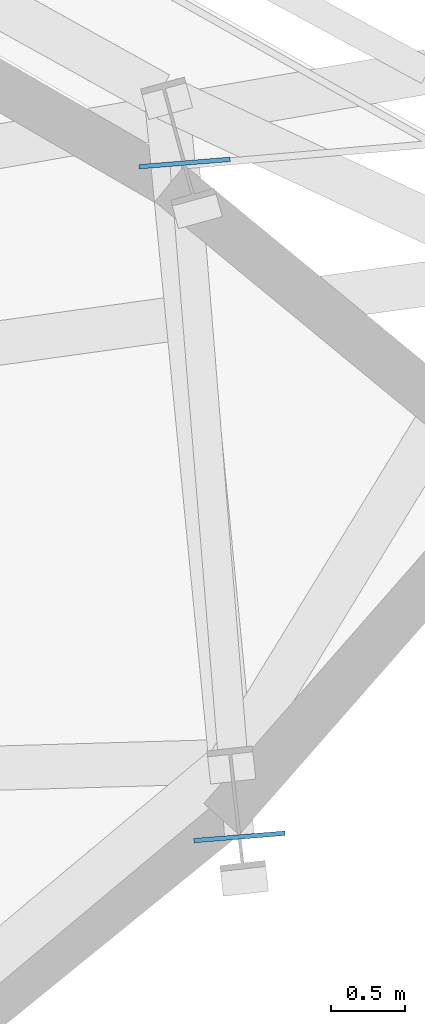
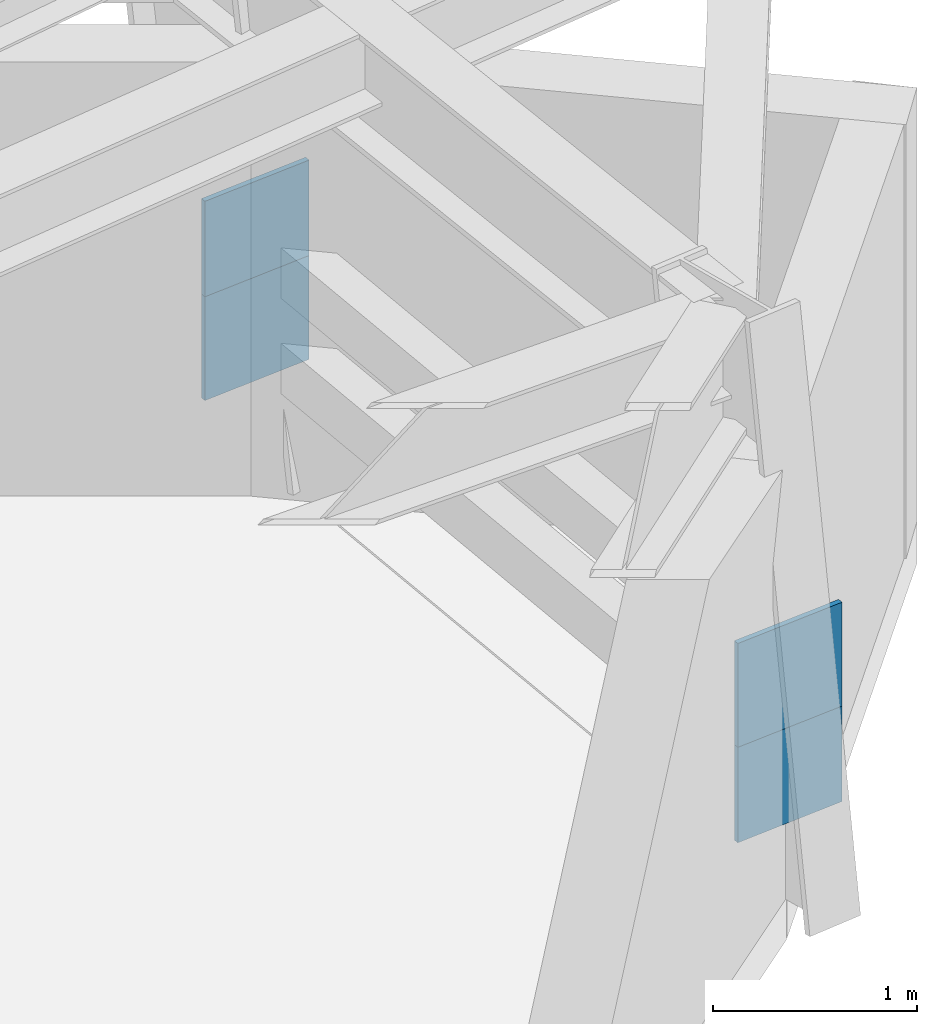
# One storey, part 13 of 21: 4 plates.
"""IFC4 building model written with IfcOpenShell, lengths in metres."""

from ifc_helpers import new_model, si_unit, direction, frame, origin, origin_2d, place, context, subcontext, project, spatial, rectangle, extrude, source, transform, mapped, material, type_object, element, save


model = new_model("IFC4")

# Units and contexts
model_context = context("Model", 3, precision=1e-05, world=origin(), true_north=direction((0.0, 1.0)))
body_context = subcontext(model_context, "Body", "Model", "MODEL_VIEW")
ifc_project = project(units=[si_unit("LENGTHUNIT", "METRE"), si_unit("AREAUNIT", "SQUARE_METRE"), si_unit("VOLUMEUNIT", "CUBIC_METRE"), si_unit("PLANEANGLEUNIT", "RADIAN"), si_unit("MASSUNIT", "GRAM", prefix="KILO")], contexts=[model_context])

# Site, building, storey
site_placement = place(None, origin())
site = spatial("IfcSite", under=ifc_project, at=site_placement, CompositionType="ELEMENT")
building_placement = place(site_placement, origin())
building = spatial("IfcBuilding", under=site, at=building_placement, Name="Olszyna Solenne Hotel", CompositionType="ELEMENT")
storey_placement = place(building_placement, frame((0.0, 0.0, 54.14990234375)))
storey = spatial("IfcBuildingStorey", under=building, at=storey_placement, Name="L13", CompositionType="ELEMENT", Elevation=54.14990234375)

# Plates
ifc_material = material(Name="Steel S460M", Category="steel")
plate_type = type_object("IfcPlateType", Name="GP-CAP2", PredefinedType="USERDEFINED", material=ifc_material)
shared_shape = source(origin(), body_context, "Body", "SweptSolid", [
    extrude(rectangle(XDim=0.030029296875, YDim=0.6201171875, at=origin_2d()), origin(), (0.0, 0.0, 1.0), 0.6201171875),
])
for number, where, z_axis, x_axis, name in (
    (1, (68.750244140625, 26.971435546875, 1.0400390625), (0.0, 0.0, 1.0), (-0.081068747348, 0.996708512156, 0.0), "Hollow section end-cap plate GP-CAP2 CP-PR-M-L13-PR1-1"),
    (2, (68.37841796875, 31.541259765625, 1.0400390625), (0.0, 0.0, 1.0), (-0.081068747348, 0.996708512156, 0.0), "Hollow section end-cap plate GP-CAP2 CP-PR-M-L13-PR1-2"),
    (3, (68.750244140625, 26.971435546875, 0.469970703125), (0.0, 0.0, 1.0), (-0.081068747348, 0.996708512156, 0.0), "Hollow section end-cap plate GP-CAP2 CP-PR-M-L13-PR2-1"),
    (4, (68.37841796875, 31.541259765625, 0.469970703125), (0.0, 0.0, 1.0), (-0.081068747348, 0.996708512156, 0.0), "Hollow section end-cap plate GP-CAP2 CP-PR-M-L13-PR2-2"),
):
    element("IfcPlate", number, at=place(storey_placement, frame(where, z_axis=z_axis, x_axis=x_axis)), inside=storey, type_object=plate_type, Name=name, ObjectType="GUSSET_PLATE", PredefinedType="USERDEFINED", context=body_context, shape_type="MappedRepresentation", body=[
        mapped(shared_shape, transform((0.0, 0.0, 0.0), x_axis=(1.0, 0.0, 0.0), y_axis=(0.0, 1.0, 0.0), z_axis=(0.0, 0.0, 1.0), scale=1.0)),
    ])

save(model, "model.ifc")
